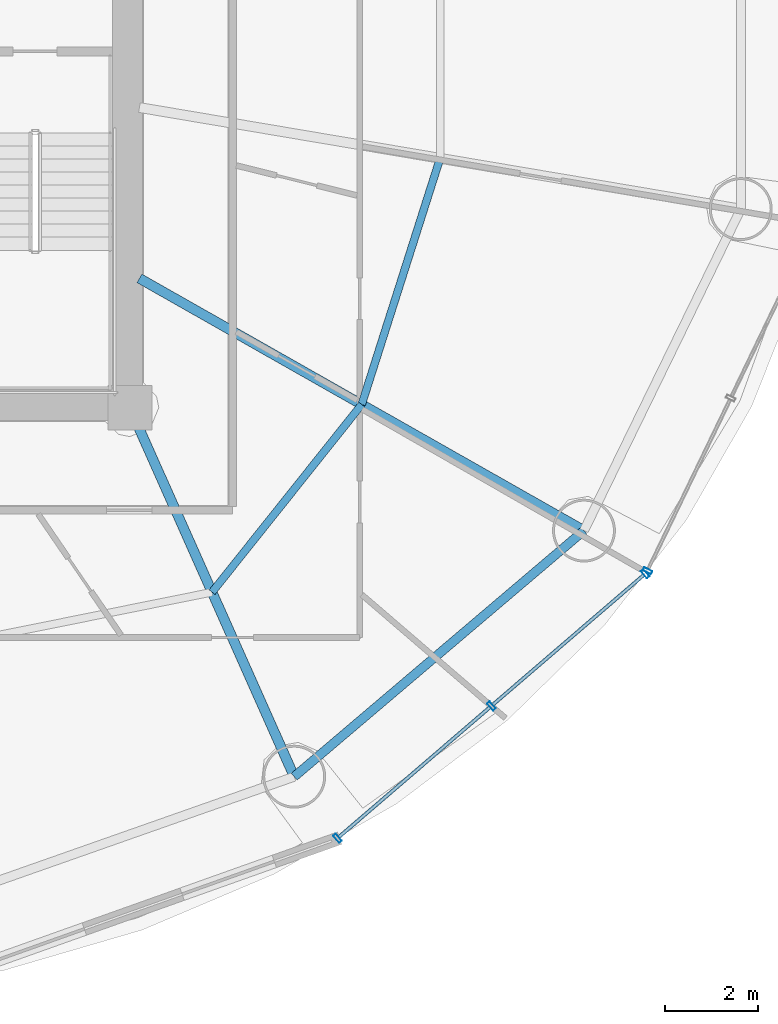
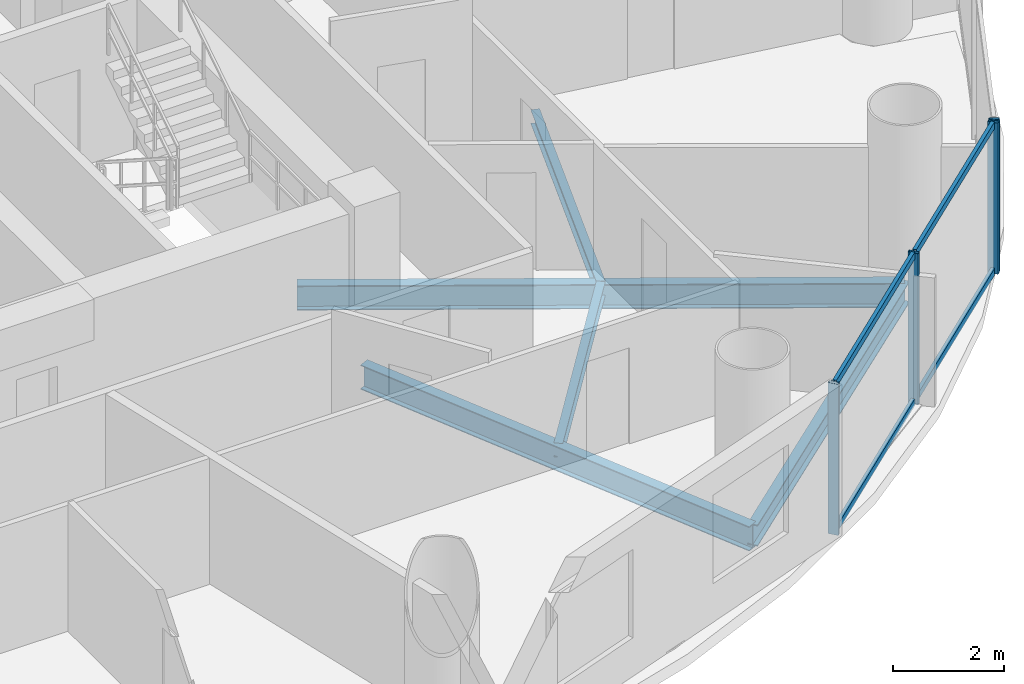
# One storey, part 10 of 26: 8 members, 5 beams, 2 elements without a shape of their own.
"""IFC4 building model written with IfcOpenShell, lengths in metres."""

from ifc_helpers import new_model, si_unit, direction, frame, origin, origin_2d, place, context, subcontext, project, spatial, hollow_rectangle, i_section, extrude, source, transform, mapped, material, material_profile, profile_set, type_object, element, aggregate, save


model = new_model("IFC4")

# Units and contexts
model_context = context("Model", 3, precision=1e-05, world=origin(), true_north=direction((-0.2419218956, 0.970295726276)))
body_context = subcontext(model_context, "Body", "Model", "MODEL_VIEW")
ifc_project = project(units=[si_unit("LENGTHUNIT", "METRE"), si_unit("AREAUNIT", "SQUARE_METRE"), si_unit("VOLUMEUNIT", "CUBIC_METRE"), si_unit("PLANEANGLEUNIT", "RADIAN"), si_unit("MASSUNIT", "GRAM", prefix="KILO")], contexts=[model_context])

# Site, building, storey
site_placement = place(None, origin())
site = spatial("IfcSite", under=ifc_project, at=site_placement, CompositionType="ELEMENT")
building_placement = place(site_placement, origin())
building = spatial("IfcBuilding", under=site, at=building_placement, Name="Cobrevalo Terracotta Tower", CompositionType="ELEMENT")
storey_placement = place(building_placement, frame((0.0, 0.0, 135.39990234375)))
storey = spatial("IfcBuildingStorey", under=building, at=storey_placement, Name="L35", CompositionType="ELEMENT", Elevation=135.39990234375)

# Beams
ifc_material_1 = material(Name="Steel S355", Category="steel")
ifc_material_profile_1 = material_profile(ifc_material_1, i_section(OverallWidth=0.2109375, OverallDepth=0.5390625, WebThickness=0.01171875, FlangeThickness=0.018798828125, at=origin_2d()), Name="W 530x109")
ifc_profile_set_1 = profile_set([ifc_material_profile_1], Name="Steel S355")
beam_type_1 = type_object("IfcBeamType", Name="Structural Beam W 530x109 (Steel S355)", PredefinedType="BEAM", material=ifc_profile_set_1)
beam_1_placement = place(storey_placement, frame((50.528076171875, 10.87744140625, -0.539306640625), z_axis=(-0.406804395691, 0.913515289224, 0.0), x_axis=(-0.913515289224, -0.406804395691, 0.0)))
element("IfcBeam", 1, at=beam_1_placement, inside=storey, type_object=beam_type_1, Name="L35 radial floor girder 14", PredefinedType="BEAM", context=body_context, shape_type="SweptSolid", body=[
    extrude(i_section(OverallWidth=0.2109375, OverallDepth=0.5390625, WebThickness=0.01171875, FlangeThickness=0.018798828125, at=origin_2d()), origin(), (0.0, 0.0, 1.0), 8.672607421875),
])
beam_2_placement = place(storey_placement, frame((56.749755859375, 16.160888671875, -0.539306640625), z_axis=(-0.869743726706, 0.493503647257, 0.0), x_axis=(-0.493503647257, -0.869743726706, 0.0)))
element("IfcBeam", 2, at=beam_2_placement, inside=storey, type_object=beam_type_1, Name="L35 radial floor girder 15", PredefinedType="BEAM", context=body_context, shape_type="SweptSolid", body=[
    extrude(i_section(OverallWidth=0.2109375, OverallDepth=0.5390625, WebThickness=0.01171875, FlangeThickness=0.018798828125, at=origin_2d()), origin(), (0.0, 0.0, 1.0), 10.97412109375),
])
ifc_material_profile_2 = material_profile(ifc_material_1, i_section(OverallWidth=0.1650390625, OverallDepth=0.31005859375, WebThickness=0.005859375, FlangeThickness=0.009765625, at=origin_2d()), Name="W 310x38.7")
ifc_profile_set_2 = profile_set([ifc_material_profile_2], Name="Steel S355")
beam_type_2 = type_object("IfcBeamType", Name="Structural Joist W 310x38.7 (Steel S355)", PredefinedType="JOIST", material=ifc_profile_set_2)
beam_3_placement = place(storey_placement, frame((48.76416015625, 14.838623046875, -0.4248046875), z_axis=(0.623382939397, 0.781916690492, 0.0), x_axis=(-0.781916690492, 0.623382939397, 0.0)))
element("IfcBeam", 3, at=beam_3_placement, inside=storey, type_object=beam_type_2, Name="L35 circumferential secondary floor joist 14", PredefinedType="JOIST", context=body_context, shape_type="SweptSolid", body=[
    extrude(i_section(OverallWidth=0.1650390625, OverallDepth=0.31005859375, WebThickness=0.005859375, FlangeThickness=0.009765625, at=origin_2d()), origin(), (0.0, 0.0, 1.0), 5.154296875),
])
beam_4_placement = place(storey_placement, frame((51.977294921875, 18.868896484375, -0.4248046875), z_axis=(0.303497928386, 0.952832098255, 0.0), x_axis=(-0.952832098255, 0.303497928386, 0.0)))
element("IfcBeam", 4, at=beam_4_placement, inside=storey, type_object=beam_type_2, Name="L35 circumferential secondary floor joist 15", PredefinedType="JOIST", context=body_context, shape_type="SweptSolid", body=[
    extrude(i_section(OverallWidth=0.1650390625, OverallDepth=0.31005859375, WebThickness=0.005859375, FlangeThickness=0.009765625, at=origin_2d()), origin(), (0.0, 0.0, 1.0), 5.54736328125),
])
ifc_material_profile_3 = material_profile(ifc_material_1, i_section(OverallWidth=0.194091796875, OverallDepth=0.468994140625, WebThickness=0.011474609375, FlangeThickness=0.0205078125, at=origin_2d()), Name="W 460x106")
ifc_profile_set_3 = profile_set([ifc_material_profile_3], Name="Steel S355")
beam_type_3 = type_object("IfcBeamType", Name="Structural Spandrel W 460x106 (Steel S355)", PredefinedType="SPANDREL", material=ifc_profile_set_3)
beam_5_placement = place(storey_placement, frame((50.528076171875, 10.87744140625, -0.50439453125), z_axis=(0.762240337798, 0.647294112003, 0.0), x_axis=(-0.647294112003, 0.762240337798, 0.0)))
element("IfcBeam", 5, at=beam_5_placement, inside=storey, type_object=beam_type_3, Name="L35 perimeter ring spandrel 14", PredefinedType="SPANDREL", context=body_context, shape_type="SweptSolid", body=[
    extrude(i_section(OverallWidth=0.194091796875, OverallDepth=0.468994140625, WebThickness=0.011474609375, FlangeThickness=0.0205078125, at=origin_2d()), origin(), (0.0, 0.0, 1.0), 8.162353515625),
])

# Curtain wall, members
ifc_material_2 = material(Name="Anodized aluminium", Category="aluminium")
curtain_wall_type = type_object("IfcCurtainWallType", Name="Mid-tower high-wind unitised curtain wall CW-U2", PredefinedType="NOTDEFINED", material=ifc_material_2)
curtain_wall_1_placement = place(storey_placement, origin())
curtain_wall_1 = element("IfcCurtainWall", 6, at=curtain_wall_1_placement, inside=storey, type_object=curtain_wall_type, Name="L35 curtain wall CW-L35-S14", PredefinedType="NOTDEFINED")
ifc_material_profile_4 = material_profile(ifc_material_2, hollow_rectangle(XDim=0.074951171875, YDim=0.199951171875, WallThickness=0.0048828125, at=origin_2d()), Name="CWM 75x200")
ifc_profile_set_4 = profile_set([ifc_material_profile_4], Name="Anodized aluminium")
member_type_1 = type_object("IfcMemberType", Name="Lower/mid tower unitised mullion 75x200", PredefinedType="MULLION", material=ifc_profile_set_4)
shared_shape_1 = source(origin(), body_context, "Body", "SweptSolid", [
    extrude(hollow_rectangle(XDim=0.074951171875, YDim=0.199951171875, WallThickness=0.0048828125, at=origin_2d()), origin(), (0.0, 0.0, 1.0), 3.330078125),
])
member_1_placement = place(storey_placement, frame((51.45849609375, 9.556396484375, 0.0), z_axis=(0.0, 0.0, 1.0), x_axis=(0.758441546142, 0.65174106905, 0.0)))
member_1 = element("IfcMember", 7, at=member_1_placement, type_object=member_type_1, Name="CW-L35-S14 vertical mullion 01", PredefinedType="MULLION", context=body_context, shape_type="MappedRepresentation", body=[
    mapped(shared_shape_1, transform((0.0, 0.0, 0.0), scale=1.0)),
])
member_2_placement = place(storey_placement, frame((54.762451171875, 12.3955078125, 0.0), z_axis=(0.0, 0.0, 1.0), x_axis=(0.758441546142, 0.65174106905, 0.0)))
member_2 = element("IfcMember", 8, at=member_2_placement, type_object=member_type_1, Name="CW-L35-S14 vertical mullion 02", PredefinedType="MULLION", context=body_context, shape_type="MappedRepresentation", body=[
    mapped(shared_shape_1, transform((0.0, 0.0, 0.0), scale=1.0)),
])
member_3_placement = place(storey_placement, frame((58.066162109375, 15.234619140625, 0.0), z_axis=(0.0, 0.0, 1.0), x_axis=(0.758441546142, 0.65174106905, 0.0)))
member_3 = element("IfcMember", 9, at=member_3_placement, type_object=member_type_1, Name="CW-L35-S14 vertical mullion 03", PredefinedType="MULLION", context=body_context, shape_type="MappedRepresentation", body=[
    mapped(shared_shape_1, transform((0.0, 0.0, 0.0), scale=1.0)),
])

# Curtain wall, member
curtain_wall_2_placement = place(storey_placement, origin())
curtain_wall_2 = element("IfcCurtainWall", 10, at=curtain_wall_2_placement, inside=storey, type_object=curtain_wall_type, Name="L35 curtain wall CW-L35-S15", PredefinedType="NOTDEFINED")
member_4_placement = place(storey_placement, frame((58.114013671875, 15.296875, 0.0), z_axis=(0.0, 0.0, 1.0), x_axis=(0.434209440271, 0.900811945957, 0.0)))
member_4 = element("IfcMember", 11, at=member_4_placement, type_object=member_type_1, Name="CW-L35-S15 vertical mullion 01", PredefinedType="MULLION", context=body_context, shape_type="MappedRepresentation", body=[
    mapped(shared_shape_1, transform((0.0, 0.0, 0.0), scale=1.0)),
])
aggregate(curtain_wall_2, [member_4])

# Member
ifc_material_profile_5 = material_profile(ifc_material_2, hollow_rectangle(XDim=0.074951171875, YDim=0.14990234375, WallThickness=0.00439453125, at=origin_2d()), Name="CWT 75x150")
ifc_profile_set_5 = profile_set([ifc_material_profile_5], Name="Anodized aluminium")
member_type_2 = type_object("IfcMemberType", Name="Tower unitised aluminium transom 75x150", PredefinedType="USERDEFINED", material=ifc_profile_set_5)
shared_shape_2 = source(origin(), body_context, "Body", "SweptSolid", [
    extrude(hollow_rectangle(XDim=0.074951171875, YDim=0.14990234375, WallThickness=0.00439453125, at=origin_2d()), origin(), (0.0, 0.0, 1.0), 4.276123046875),
])
member_5_placement = place(storey_placement, frame((51.48876953125, 9.58251953125, 0.050048828125), z_axis=(0.758417719247, 0.651768795764, 0.0), x_axis=(-0.651768795764, 0.758417719247, 0.0)))
member_5 = element("IfcMember", 12, at=member_5_placement, type_object=member_type_2, Name="CW-L35-S14 transom B01-T1", ObjectType="TRANSOM", PredefinedType="USERDEFINED", context=body_context, shape_type="MappedRepresentation", body=[
    mapped(shared_shape_2, transform((0.0, 0.0, 0.0), scale=1.0)),
])

member_6_placement = place(storey_placement, frame((51.48876953125, 9.58251953125, 3.280029296875), z_axis=(0.758417719247, 0.651768795764, 0.0), x_axis=(-0.651768795764, 0.758417719247, 0.0)))
member_6 = element("IfcMember", 13, at=member_6_placement, type_object=member_type_2, Name="CW-L35-S14 transom B01-T2", ObjectType="TRANSOM", PredefinedType="USERDEFINED", context=body_context, shape_type="MappedRepresentation", body=[
    mapped(shared_shape_2, transform((0.0, 0.0, 0.0), scale=1.0)),
])

member_7_placement = place(storey_placement, frame((54.792724609375, 12.421630859375, 0.050048828125), z_axis=(0.758417719247, 0.651768795764, 0.0), x_axis=(-0.651768795764, 0.758417719247, 0.0)))
member_7 = element("IfcMember", 14, at=member_7_placement, type_object=member_type_2, Name="CW-L35-S14 transom B02-T1", ObjectType="TRANSOM", PredefinedType="USERDEFINED", context=body_context, shape_type="MappedRepresentation", body=[
    mapped(shared_shape_2, transform((0.0, 0.0, 0.0), scale=1.0)),
])

member_8_placement = place(storey_placement, frame((54.792724609375, 12.421630859375, 3.280029296875), z_axis=(0.758417719247, 0.651768795764, 0.0), x_axis=(-0.651768795764, 0.758417719247, 0.0)))
member_8 = element("IfcMember", 15, at=member_8_placement, type_object=member_type_2, Name="CW-L35-S14 transom B02-T2", ObjectType="TRANSOM", PredefinedType="USERDEFINED", context=body_context, shape_type="MappedRepresentation", body=[
    mapped(shared_shape_2, transform((0.0, 0.0, 0.0), scale=1.0)),
])

aggregate(curtain_wall_1, [member_1, member_2, member_3, member_5, member_6, member_7, member_8])

save(model, "model.ifc")
